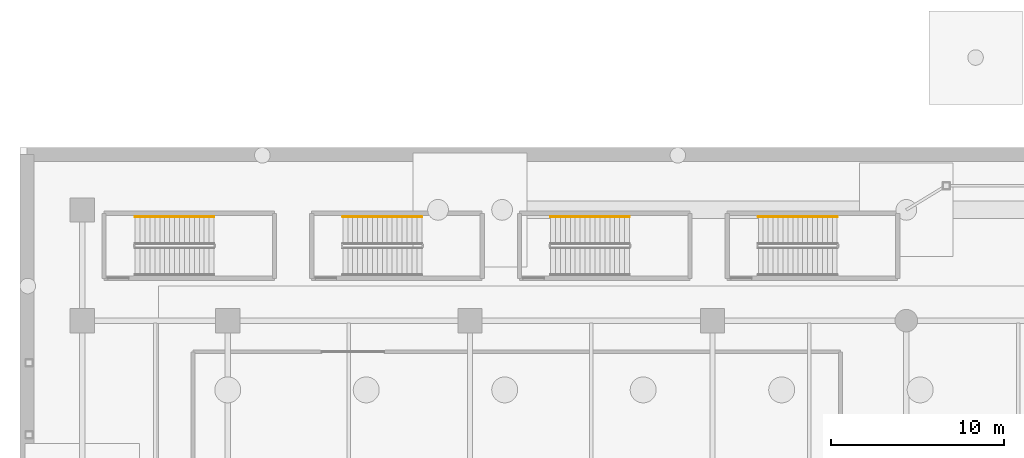
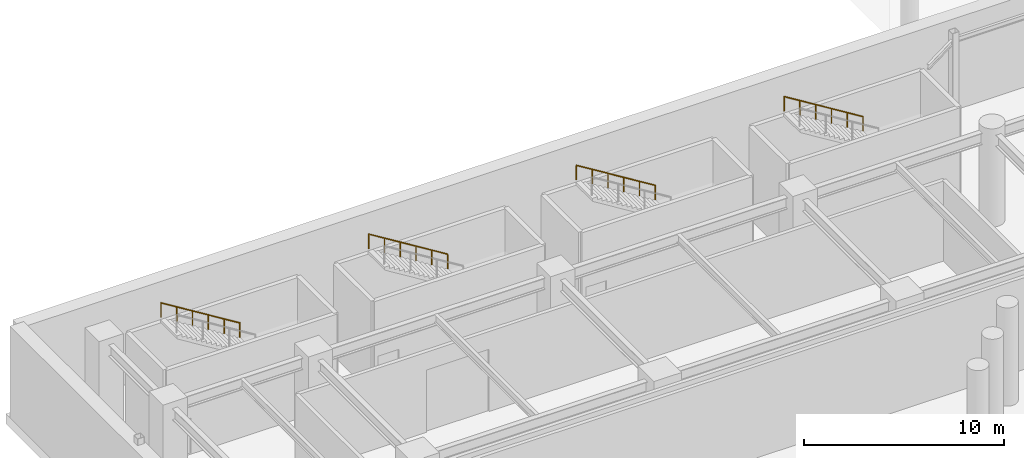
# One storey, part 36 of 37: 4 railings.
"""IFC4 building model written with IfcOpenShell, lengths in metres."""

from ifc_helpers import new_model, si_unit, direction, frame, origin, origin_2d, place, context, subcontext, project, spatial, circle, extrude, material, type_object, element, save


model = new_model("IFC4")

# Units and contexts
model_context = context("Model", 3, precision=1e-05, world=origin(), true_north=direction((0.0, 1.0)))
body_context = subcontext(model_context, "Body", "Model", "MODEL_VIEW")
ifc_project = project(units=[si_unit("LENGTHUNIT", "METRE"), si_unit("AREAUNIT", "SQUARE_METRE"), si_unit("VOLUMEUNIT", "CUBIC_METRE"), si_unit("PLANEANGLEUNIT", "RADIAN"), si_unit("MASSUNIT", "GRAM", prefix="KILO")], contexts=[model_context])

# Site, building, storey
site_placement = place(None, origin())
site = spatial("IfcSite", under=ifc_project, at=site_placement, CompositionType="ELEMENT")
building_placement = place(site_placement, origin())
building = spatial("IfcBuilding", under=site, at=building_placement, Name="Narakoshi Arena Tower", CompositionType="ELEMENT")
storey_placement = place(building_placement, frame((0.0, 0.0, -6.0)))
storey = spatial("IfcBuildingStorey", under=building, at=storey_placement, Name="B01", CompositionType="ELEMENT", Elevation=-6.0)

# Railings
ifc_material = material(Name="Brushed bronze stainless steel", Category="steel")
railing_type = type_object("IfcRailingType", Name="RL-HND-900", PredefinedType="HANDRAIL", material=ifc_material)
for number, where, name in (
    (1, (11.2099609375, 92.0, 3.176513671875), "B01 AST5 stair handrail 2"),
    (2, (23.2099609375, 92.0, 3.176513671875), "B01 AST6 stair handrail 2"),
    (3, (35.2099609375, 92.0, 3.176513671875), "B01 AST7 stair handrail 2"),
    (4, (47.2099609375, 92.0, 3.176513671875), "B01 AST8 stair handrail 2"),
):
    element("IfcRailing", number, at=place(storey_placement, frame(where)), inside=storey, type_object=railing_type, Name=name, PredefinedType="HANDRAIL", context=body_context, shape_type="SweptSolid", body=[
        extrude(circle(Radius=0.02392578125, at=origin_2d()), frame((0.0, 0.0, 0.8759765625), z_axis=(-0.850215668316, 0.0, 0.526434532824), x_axis=(0.0, -1.0, 0.0)), (0.0, 0.0, 1.0), 5.363525390625),
        extrude(circle(Radius=0.02099609375, at=origin_2d()), origin(), (0.0, 0.0, 1.0), 0.851806640625),
        extrude(circle(Radius=0.02099609375, at=origin_2d()), frame((-0.912109375, 0.0, 0.564697265625)), (0.0, 0.0, 1.0), 0.851806640625),
        extrude(circle(Radius=0.02099609375, at=origin_2d()), frame((-1.823974609375, 0.0, 1.12939453125)), (0.0, 0.0, 1.0), 0.851806640625),
        extrude(circle(Radius=0.02099609375, at=origin_2d()), frame((-2.736083984375, 0.0, 1.694091796875)), (0.0, 0.0, 1.0), 0.851806640625),
        extrude(circle(Radius=0.02099609375, at=origin_2d()), frame((-3.64794921875, 0.0, 2.2587890625)), (0.0, 0.0, 1.0), 0.851806640625),
        extrude(circle(Radius=0.02099609375, at=origin_2d()), frame((-4.56005859375, 0.0, 2.823486328125)), (0.0, 0.0, 1.0), 0.851806640625),
    ])

save(model, "model.ifc")
